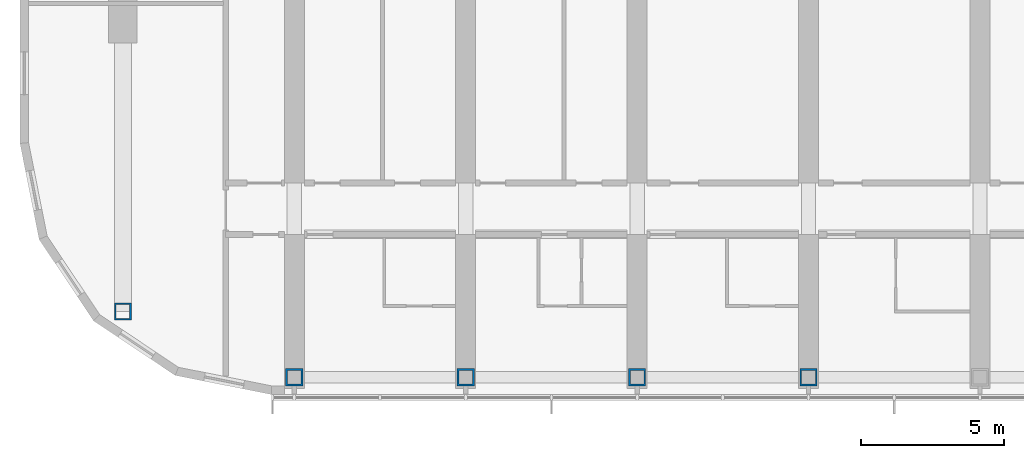
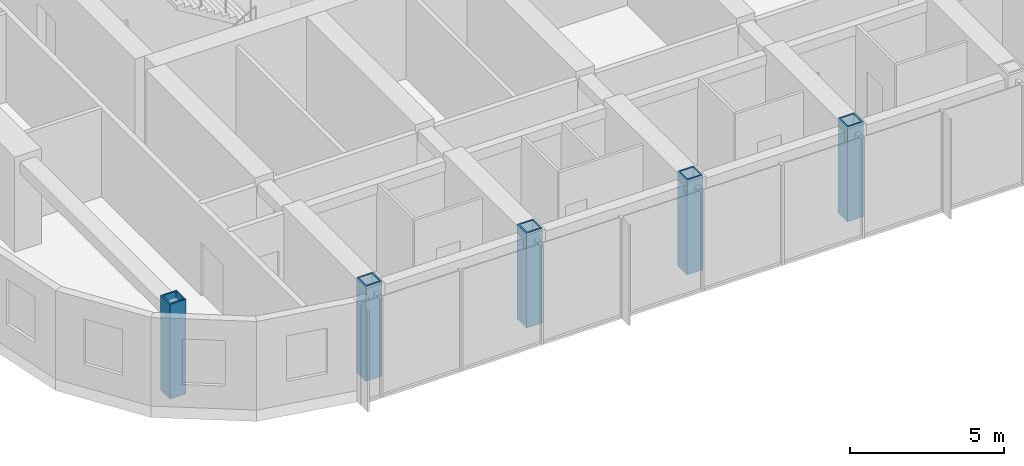
# One storey, part 1 of 28: 5 columns.
"""IFC4 building model written with IfcOpenShell, lengths in metres."""

from ifc_helpers import new_model, si_unit, direction, frame, origin, origin_2d, place, context, subcontext, project, spatial, hollow_rectangle, extrude, material, material_profile, profile_set, type_object, element, save


model = new_model("IFC4")

# Units and contexts
model_context = context("Model", 3, precision=1e-05, world=origin(), true_north=direction((0.0, 1.0)))
body_context = subcontext(model_context, "Body", "Model", "MODEL_VIEW")
ifc_project = project(units=[si_unit("LENGTHUNIT", "METRE"), si_unit("AREAUNIT", "SQUARE_METRE"), si_unit("VOLUMEUNIT", "CUBIC_METRE"), si_unit("PLANEANGLEUNIT", "RADIAN"), si_unit("MASSUNIT", "GRAM", prefix="KILO")], contexts=[model_context])

# Site, building, storey
site_placement = place(None, origin())
site = spatial("IfcSite", under=ifc_project, at=site_placement, CompositionType="ELEMENT")
building_placement = place(site_placement, origin())
building = spatial("IfcBuilding", under=site, at=building_placement, Name="Orbita Commons", CompositionType="ELEMENT")
storey_placement = place(building_placement, frame((0.0, 0.0, 216.550048828125)))
storey = spatial("IfcBuildingStorey", under=building, at=storey_placement, Name="L53", CompositionType="ELEMENT", Elevation=216.550048828125)

# Columns
ifc_material = material(Name="Steel ASTM A572 Gr 50 welded plate", Category="steel")
ifc_material_profile = material_profile(ifc_material, hollow_rectangle(XDim=0.60009765625, YDim=0.60009765625, WallThickness=0.06005859375, at=origin_2d()), Name="BOX 600x600x60")
ifc_profile_set = profile_set([ifc_material_profile], Name="Steel ASTM A572 Gr 50 welded plate")
column_type = type_object("IfcColumnType", Name="Steel column BOX 600x600x60", PredefinedType="COLUMN", material=ifc_profile_set)
for number, where, z_axis, x_axis, name in (
    (1, (18.0, 11.60009765625, 0.0), (0.0, 0.0, 1.0), (1.0, 0.0, 0.0), "Column 4/B L53"),
    (2, (24.0, 11.60009765625, 0.0), (0.0, 0.0, 1.0), (1.0, 0.0, 0.0), "Column 5/B L53"),
    (3, (30.0, 11.60009765625, 0.0), (0.0, 0.0, 1.0), (1.0, 0.0, 0.0), "Column 6/B L53"),
    (4, (36.0, 11.60009765625, 0.0), (0.0, 0.0, 1.0), (1.0, 0.0, 0.0), "Column 7/B L53"),
    (5, (12.0, 13.89990234375, 0.0), (0.0, 0.0, 1.0), (1.0, 0.0, 0.0), "Column 3/13.9 L53"),
):
    element("IfcColumn", number, at=place(storey_placement, frame(where, z_axis=z_axis, x_axis=x_axis)), inside=storey, type_object=column_type, Name=name, PredefinedType="COLUMN", context=body_context, shape_type="SweptSolid", body=[
        extrude(hollow_rectangle(XDim=0.60009765625, YDim=0.60009765625, WallThickness=0.06005859375, at=origin_2d()), origin(), (0.0, 0.0, 1.0), 3.75),
    ])

save(model, "model.ifc")
